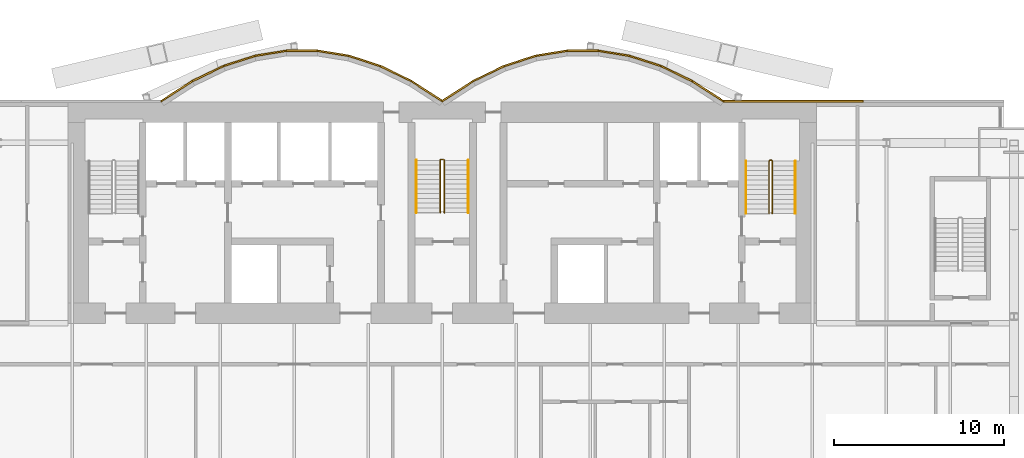
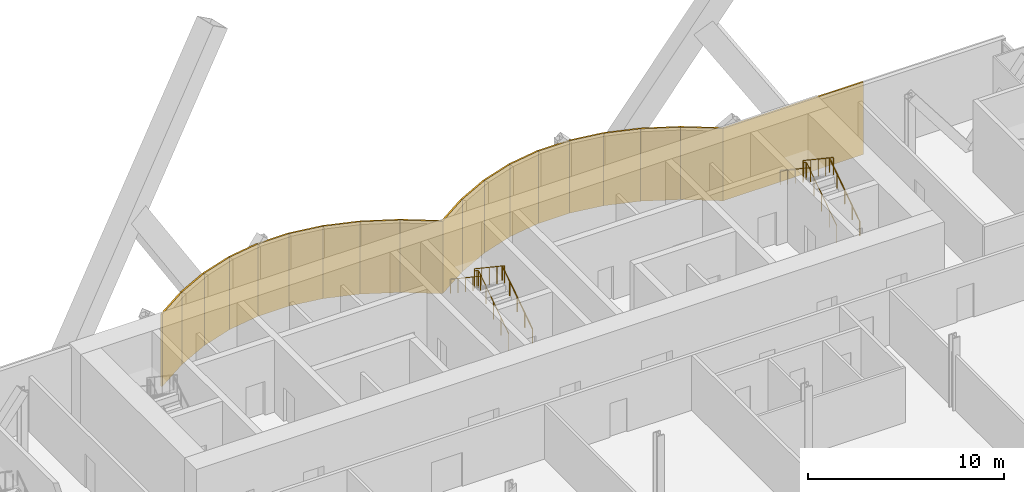
# One storey, part 22 of 23: 19 coverings, 6 railings.
"""IFC4 building model written with IfcOpenShell, lengths in metres."""

import ifcopenshell
import ifcopenshell.guid

model = None  # the IFC model being written
_history = None  # IfcOwnerHistory: only IFC2X3 demands one
_inside = {}  # id of a spatial element -> (the spatial element, [elements in it])
_under = {}  # id of a project, library or spatial element -> (it, [spatial elements below it])
_declared = {}  # id of a project -> (the project, [libraries it declares])
_typed = {}  # id of a type object -> (the type object, [elements of that type])
_made_of = {}  # id of a material, layer set ... -> (it, [elements and type objects made of it])


def new_model(schema):
    """Start an empty IFC model of exactly this schema.

    Asked for "IFC4X3", IfcOpenShell would pick the latest addendum, in which some entities
    have other attributes; the version numbers below select the first issue.
    IFC2X3 requires an IfcOwnerHistory on every rooted entity: one is made here for all.
    """
    global model, _history
    if schema == "IFC4X3":
        model = ifcopenshell.file(schema_version=(4, 3, 0, 0))
    else:
        model = ifcopenshell.file(schema=schema)
    _inside.clear()
    _under.clear()
    _declared.clear()
    _typed.clear()
    _made_of.clear()
    _history = None
    if model.schema == "IFC2X3":
        org = make("IfcOrganization", Name="unknown")
        user = make(
            "IfcPersonAndOrganization",
            ThePerson=make("IfcPerson", FamilyName="unknown"),
            TheOrganization=org,
        )
        app = make(
            "IfcApplication",
            ApplicationDeveloper=org,
            Version="unknown",
            ApplicationFullName="unknown",
            ApplicationIdentifier="unknown",
        )
        _history = make(
            "IfcOwnerHistory",
            OwningUser=user,
            OwningApplication=app,
            ChangeAction="ADDED",
            CreationDate=0,
        )
    return model


def make(cls, **values):
    """One entity of the class cls with the attributes given. An attribute that is None is left unset."""
    return model.create_entity(
        cls, **{name: value for name, value in values.items() if value is not None}
    )


def rooted(cls, **values):
    """An entity with a GlobalId (a new one), such as an element, a storey or a relation."""
    return make(cls, GlobalId=ifcopenshell.guid.new(), OwnerHistory=_history, **values)


def si_unit(unit_type, name, prefix=None):
    """IfcSIUnit, for example si_unit("LENGTHUNIT", "METRE", prefix="MILLI")."""
    return make("IfcSIUnit", UnitType=unit_type, Prefix=prefix, Name=name)


def assignment(units):
    """IfcUnitAssignment: the units of a project."""
    return None if units is None else make("IfcUnitAssignment", Units=units)


def point(xyz):
    """IfcCartesianPoint."""
    return None if xyz is None else make("IfcCartesianPoint", Coordinates=xyz)


def direction(xyz):
    """IfcDirection."""
    return None if xyz is None else make("IfcDirection", DirectionRatios=xyz)


def frame(location, z_axis=None, x_axis=None):
    """IfcAxis2Placement3D, a coordinate frame: its origin and axes. An axis left out is left unset."""
    return make(
        "IfcAxis2Placement3D",
        Location=point(location),
        Axis=direction(z_axis),
        RefDirection=direction(x_axis),
    )


def frame_2d(location, x_axis=None):
    """IfcAxis2Placement2D, a coordinate frame in the plane: its origin and x axis."""
    return make(
        "IfcAxis2Placement2D", Location=point(location), RefDirection=direction(x_axis)
    )


def origin():
    """The frame at (0, 0, 0) with its axes left unset."""
    return frame((0.0, 0.0, 0.0))


def origin_2d():
    """The frame at (0, 0) in the plane with its x axis left unset."""
    return frame_2d((0.0, 0.0))


def place(relative_to, where):
    """IfcLocalPlacement: puts the frame where relative to a parent placement (None: the world)."""
    return make(
        "IfcLocalPlacement", PlacementRelTo=relative_to, RelativePlacement=where
    )


def context(
    kind, dimensions, precision=None, world=None, true_north=None, identifier=None
):
    """IfcGeometricRepresentationContext, for example the 3D "Model" context."""
    return make(
        "IfcGeometricRepresentationContext",
        ContextIdentifier=identifier,
        ContextType=kind,
        CoordinateSpaceDimension=dimensions,
        Precision=precision,
        WorldCoordinateSystem=world,
        TrueNorth=true_north,
    )


def subcontext(parent, identifier, kind, view, scale=None):
    """IfcGeometricRepresentationSubContext, for example "Body" below "Model"."""
    return make(
        "IfcGeometricRepresentationSubContext",
        ContextIdentifier=identifier,
        ContextType=kind,
        ParentContext=parent,
        TargetScale=scale,
        TargetView=view,
    )


def project(units=None, contexts=None):
    """IfcProject with its units and contexts."""
    return rooted(
        "IfcProject",
        Name="project",
        RepresentationContexts=contexts,
        UnitsInContext=assignment(units),
    )


def spatial(cls, under=None, at=None, **own):
    """A site, building, storey or space (cls), placed at a placement, below another one or the project."""
    s = rooted(cls, ObjectPlacement=at, **own)
    if under is not None:
        _under.setdefault(under.id(), (under, []))[1].append(s)
    return s


def profile(cls, at=None, kind="AREA", **sizes):
    """A parametric profile (cls). Its sizes go by their IFC names, for example OverallWidth=200.0."""
    return make(cls, ProfileType=kind, Position=at, **sizes)


def rectangle(**sizes):
    """IfcRectangleProfileDef."""
    return profile("IfcRectangleProfileDef", **sizes)


def circle(**sizes):
    """IfcCircleProfileDef."""
    return profile("IfcCircleProfileDef", **sizes)


def extrude(swept, where, along, depth):
    """IfcExtrudedAreaSolid: the profile swept, set in the frame where, extruded along a direction by depth."""
    return make(
        "IfcExtrudedAreaSolid",
        SweptArea=swept,
        Position=where,
        ExtrudedDirection=direction(along),
        Depth=depth,
    )


def shape(context_of_items, identifier, shape_type, items):
    """IfcShapeRepresentation: the items that make up one representation, for example the "Body"."""
    return make(
        "IfcShapeRepresentation",
        ContextOfItems=context_of_items,
        RepresentationIdentifier=identifier,
        RepresentationType=shape_type,
        Items=items,
    )


def material(Name=None, Category=None):
    """IfcMaterial."""
    return make("IfcMaterial", Name=Name, Category=Category)


def layer(
    of_material, thickness, ventilated=None, Name=None, Category=None, Priority=None
):
    """IfcMaterialLayer: one layer of a wall or slab, of a material (None: an air gap)."""
    return make(
        "IfcMaterialLayer",
        Material=of_material,
        LayerThickness=thickness,
        IsVentilated=ventilated,
        Name=Name,
        Category=Category,
        Priority=Priority,
    )


def layer_set(layers, Name=None):
    """IfcMaterialLayerSet."""
    return make("IfcMaterialLayerSet", MaterialLayers=layers, LayerSetName=Name)


def made_of(thing, what):
    """Note that an element or type object is made of a material, layer set ...; save() writes the relation."""
    if what is not None:
        _made_of.setdefault(what.id(), (what, []))[1].append(thing)
    return thing


def type_object(cls, material=None, **own):
    """A type object (cls), such as IfcWallType, which elements share."""
    return made_of(rooted(cls, **own), material)


def element(
    cls,
    number,
    at=None,
    inside=None,
    cuts=None,
    type_object=None,
    material=None,
    context=None,
    identifier="Body",
    shape_type=None,
    held_by="IfcProductDefinitionShape",
    body=None,
    shapes=None,
    **own,
):
    """One element of the class cls, such as IfcWall. Its Tag is "e" and its number.

    at: its placement. inside: the storey or other place that contains it. cuts: it is an
    opening in that element (IfcRelVoidsElement). A single representation is given by context,
    identifier, shape_type and body (its items); several are given by shapes. held_by: the class
    of the entity that holds the representations. save() writes the other relations.
    """
    e = rooted(cls, Tag="e%d" % number, ObjectPlacement=at, **own)
    if body is not None:
        shapes = [shape(context, identifier, shape_type, body)]
    if shapes is not None:
        e.Representation = make(held_by, Representations=shapes)
    if inside is not None:
        _inside.setdefault(inside.id(), (inside, []))[1].append(e)
    if cuts is not None:
        rooted(
            "IfcRelVoidsElement", RelatingBuildingElement=cuts, RelatedOpeningElement=e
        )
    if type_object is not None:
        _typed.setdefault(type_object.id(), (type_object, []))[1].append(e)
    return made_of(e, material)


def aggregate(whole, parts):
    """IfcRelAggregates: a whole, such as a stair, and the parts it consists of."""
    return rooted("IfcRelAggregates", RelatingObject=whole, RelatedObjects=parts)


def save(model, path):
    """Write the relations noted so far, then the file.

    IfcRelAggregates (storeys below a building ...), IfcRelContainedInSpatialStructure (elements
    in a storey), IfcRelDefinesByType, IfcRelAssociatesMaterial and IfcRelDeclares: one each for
    every whole, place, type object, material and project.
    """
    for whole, parts in _under.values():
        aggregate(whole, parts)
    for where, things in _inside.values():
        rooted(
            "IfcRelContainedInSpatialStructure",
            RelatedElements=things,
            RelatingStructure=where,
        )
    for kind, things in _typed.values():
        rooted("IfcRelDefinesByType", RelatedObjects=things, RelatingType=kind)
    for what, things in _made_of.values():
        rooted("IfcRelAssociatesMaterial", RelatedObjects=things, RelatingMaterial=what)
    for by, libraries in _declared.values():
        rooted("IfcRelDeclares", RelatingContext=by, RelatedDefinitions=libraries)
    model.write(path)


model = new_model("IFC4")

# Units and contexts
model_context = context("Model", 3, precision=1e-05, world=origin(), true_north=direction((0.0, 1.0)))
body_context = subcontext(model_context, "Body", "Model", "MODEL_VIEW")
ifc_project = project(units=[si_unit("LENGTHUNIT", "METRE"), si_unit("AREAUNIT", "SQUARE_METRE"), si_unit("VOLUMEUNIT", "CUBIC_METRE"), si_unit("PLANEANGLEUNIT", "RADIAN"), si_unit("MASSUNIT", "GRAM", prefix="KILO")], contexts=[model_context])

# Site, building, storey
site_placement = place(None, origin())
site = spatial("IfcSite", under=ifc_project, at=site_placement, CompositionType="ELEMENT")
building_placement = place(site_placement, origin())
building = spatial("IfcBuilding", under=site, at=building_placement, Name="Bicima Exchange Tower", CompositionType="ELEMENT")
storey_placement = place(building_placement, frame((0.0, 0.0, 53.0)))
storey = spatial("IfcBuildingStorey", under=building, at=storey_placement, Name="L10", CompositionType="ELEMENT", Elevation=53.0)

# Coverings
ifc_material_1 = material(Name="Bronze metal cladding")
ifc_layer_1 = layer(ifc_material_1, 0.004)
ifc_material_2 = material(Name="Ventilated cavity")
ifc_layer_2 = layer(ifc_material_2, 0.06)
ifc_material_3 = material(Name="Galvanised steel rail and mineral wool", Category="steel")
ifc_layer_3 = layer(ifc_material_3, 0.036)
ifc_layer_set = layer_set([ifc_layer_1, ifc_layer_2, ifc_layer_3], Name="Ventilated cavity")
covering_type = type_object("IfcCoveringType", Name="Bronze metal cladding panel 100", PredefinedType="CLADDING", material=ifc_layer_set)
covering_1_placement = place(storey_placement, frame((20.625, 0.050048828125, -0.14990234375), z_axis=(0.0, 0.0, 1.0), x_axis=(-1.0, 0.0, 0.0)))
element("IfcCovering", 1, at=covering_1_placement, inside=storey, type_object=covering_type, Name="Bronze cladding L10 1.2", PredefinedType="CLADDING", context=body_context, shape_type="SweptSolid", body=[
    extrude(rectangle(XDim=8.25, YDim=0.10009765625, at=origin_2d()), origin(), (0.0, 0.0, 1.0), 4.5),
])
covering_2_placement = place(storey_placement, frame((15.610595703125, 0.634521484375, -0.14990234375), z_axis=(0.0, 0.0, 1.0), x_axis=(-0.839790466384, 0.542910648791, 0.0)))
element("IfcCovering", 2, at=covering_2_placement, inside=storey, type_object=covering_type, Name="Bronze cladding L10 2.1", PredefinedType="CLADDING", context=body_context, shape_type="SweptSolid", body=[
    extrude(rectangle(XDim=2.18310546875, YDim=0.10009765625, at=origin_2d()), origin(), (0.0, 0.0, 1.0), 4.5),
])
covering_3_placement = place(storey_placement, frame((13.771728515625, 1.674560546875, -0.14990234375), z_axis=(0.0, 0.0, 1.0), x_axis=(-0.899818346812, 0.436264762204, 0.0)))
element("IfcCovering", 3, at=covering_3_placement, inside=storey, type_object=covering_type, Name="Bronze cladding L10 3.1", PredefinedType="CLADDING", context=body_context, shape_type="SweptSolid", body=[
    extrude(rectangle(XDim=2.03759765625, YDim=0.10009765625, at=origin_2d()), origin(), (0.0, 0.0, 1.0), 4.5),
])
covering_4_placement = place(storey_placement, frame((11.931884765625, 2.41796875, -0.14990234375), z_axis=(0.0, 0.0, 1.0), x_axis=(-0.951524642381, 0.307572519808, 0.0)))
element("IfcCovering", 4, at=covering_4_placement, inside=storey, type_object=covering_type, Name="Bronze cladding L10 4.1", PredefinedType="CLADDING", context=body_context, shape_type="SweptSolid", body=[
    extrude(rectangle(XDim=1.9267578125, YDim=0.10009765625, at=origin_2d()), origin(), (0.0, 0.0, 1.0), 4.5),
])
covering_5_placement = place(storey_placement, frame((10.09130859375, 2.8642578125, -0.14990234375), z_axis=(0.0, 0.0, 1.0), x_axis=(-0.987189786347, 0.159550386184, 0.0)))
element("IfcCovering", 5, at=covering_5_placement, inside=storey, type_object=covering_type, Name="Bronze cladding L10 5.1", PredefinedType="CLADDING", context=body_context, shape_type="SweptSolid", body=[
    extrude(rectangle(XDim=1.857177734375, YDim=0.10009765625, at=origin_2d()), origin(), (0.0, 0.0, 1.0), 4.5),
])
covering_6_placement = place(storey_placement, frame((8.25, 3.012939453125, -0.14990234375), z_axis=(0.0, 0.0, 1.0), x_axis=(-1.0, 0.0, 0.0)))
element("IfcCovering", 6, at=covering_6_placement, inside=storey, type_object=covering_type, Name="Bronze cladding L10 6.1", PredefinedType="CLADDING", context=body_context, shape_type="SweptSolid", body=[
    extrude(rectangle(XDim=1.83349609375, YDim=0.10009765625, at=origin_2d()), origin(), (0.0, 0.0, 1.0), 4.5),
])
covering_7_placement = place(storey_placement, frame((6.40869140625, 2.8642578125, -0.14990234375), z_axis=(0.0, 0.0, 1.0), x_axis=(-0.987189786347, -0.159550386184, 0.0)))
element("IfcCovering", 7, at=covering_7_placement, inside=storey, type_object=covering_type, Name="Bronze cladding L10 7.1", PredefinedType="CLADDING", context=body_context, shape_type="SweptSolid", body=[
    extrude(rectangle(XDim=1.857177734375, YDim=0.10009765625, at=origin_2d()), origin(), (0.0, 0.0, 1.0), 4.5),
])
covering_8_placement = place(storey_placement, frame((4.568115234375, 2.41796875, -0.14990234375), z_axis=(0.0, 0.0, 1.0), x_axis=(-0.951524642381, -0.307572519808, 0.0)))
element("IfcCovering", 8, at=covering_8_placement, inside=storey, type_object=covering_type, Name="Bronze cladding L10 8.1", PredefinedType="CLADDING", context=body_context, shape_type="SweptSolid", body=[
    extrude(rectangle(XDim=1.9267578125, YDim=0.10009765625, at=origin_2d()), origin(), (0.0, 0.0, 1.0), 4.5),
])
covering_9_placement = place(storey_placement, frame((2.728271484375, 1.674560546875, -0.14990234375), z_axis=(0.0, 0.0, 1.0), x_axis=(-0.899818346812, -0.436264762204, 0.0)))
element("IfcCovering", 9, at=covering_9_placement, inside=storey, type_object=covering_type, Name="Bronze cladding L10 9.1", PredefinedType="CLADDING", context=body_context, shape_type="SweptSolid", body=[
    extrude(rectangle(XDim=2.03759765625, YDim=0.10009765625, at=origin_2d()), origin(), (0.0, 0.0, 1.0), 4.5),
])
for number, where, z_axis, x_axis, name in (
    (10, (0.889404296875, 0.634521484375, -0.14990234375), (0.0, 0.0, 1.0), (-0.839790466384, -0.542910648791, 0.0), "Bronze cladding L10 10.1"),
    (11, (-0.889404296875, 0.634521484375, -0.14990234375), (0.0, 0.0, 1.0), (-0.839790466384, 0.542910648791, 0.0), "Bronze cladding L10 11.1"),
):
    element("IfcCovering", number, at=place(storey_placement, frame(where, z_axis=z_axis, x_axis=x_axis)), inside=storey, type_object=covering_type, Name=name, PredefinedType="CLADDING", context=body_context, shape_type="SweptSolid", body=[
        extrude(rectangle(XDim=2.18310546875, YDim=0.10009765625, at=origin_2d()), origin(), (0.0, 0.0, 1.0), 4.5),
    ])
covering_10_placement = place(storey_placement, frame((-2.728271484375, 1.674560546875, -0.14990234375), z_axis=(0.0, 0.0, 1.0), x_axis=(-0.899818346812, 0.436264762204, 0.0)))
element("IfcCovering", 12, at=covering_10_placement, inside=storey, type_object=covering_type, Name="Bronze cladding L10 12.1", PredefinedType="CLADDING", context=body_context, shape_type="SweptSolid", body=[
    extrude(rectangle(XDim=2.03759765625, YDim=0.10009765625, at=origin_2d()), origin(), (0.0, 0.0, 1.0), 4.5),
])
covering_11_placement = place(storey_placement, frame((-4.568115234375, 2.41796875, -0.14990234375), z_axis=(0.0, 0.0, 1.0), x_axis=(-0.951524642381, 0.307572519808, 0.0)))
element("IfcCovering", 13, at=covering_11_placement, inside=storey, type_object=covering_type, Name="Bronze cladding L10 13.1", PredefinedType="CLADDING", context=body_context, shape_type="SweptSolid", body=[
    extrude(rectangle(XDim=1.9267578125, YDim=0.10009765625, at=origin_2d()), origin(), (0.0, 0.0, 1.0), 4.5),
])
covering_12_placement = place(storey_placement, frame((-6.40869140625, 2.8642578125, -0.14990234375), z_axis=(0.0, 0.0, 1.0), x_axis=(-0.987189786347, 0.159550386184, 0.0)))
element("IfcCovering", 14, at=covering_12_placement, inside=storey, type_object=covering_type, Name="Bronze cladding L10 14.1", PredefinedType="CLADDING", context=body_context, shape_type="SweptSolid", body=[
    extrude(rectangle(XDim=1.857177734375, YDim=0.10009765625, at=origin_2d()), origin(), (0.0, 0.0, 1.0), 4.5),
])
covering_13_placement = place(storey_placement, frame((-8.25, 3.012939453125, -0.14990234375), z_axis=(0.0, 0.0, 1.0), x_axis=(-1.0, 0.0, 0.0)))
element("IfcCovering", 15, at=covering_13_placement, inside=storey, type_object=covering_type, Name="Bronze cladding L10 15.1", PredefinedType="CLADDING", context=body_context, shape_type="SweptSolid", body=[
    extrude(rectangle(XDim=1.83349609375, YDim=0.10009765625, at=origin_2d()), origin(), (0.0, 0.0, 1.0), 4.5),
])
covering_14_placement = place(storey_placement, frame((-10.09130859375, 2.8642578125, -0.14990234375), z_axis=(0.0, 0.0, 1.0), x_axis=(-0.987189786347, -0.159550386184, 0.0)))
element("IfcCovering", 16, at=covering_14_placement, inside=storey, type_object=covering_type, Name="Bronze cladding L10 16.1", PredefinedType="CLADDING", context=body_context, shape_type="SweptSolid", body=[
    extrude(rectangle(XDim=1.857177734375, YDim=0.10009765625, at=origin_2d()), origin(), (0.0, 0.0, 1.0), 4.5),
])
covering_15_placement = place(storey_placement, frame((-11.931884765625, 2.41796875, -0.14990234375), z_axis=(0.0, 0.0, 1.0), x_axis=(-0.951524642381, -0.307572519808, 0.0)))
element("IfcCovering", 17, at=covering_15_placement, inside=storey, type_object=covering_type, Name="Bronze cladding L10 17.1", PredefinedType="CLADDING", context=body_context, shape_type="SweptSolid", body=[
    extrude(rectangle(XDim=1.9267578125, YDim=0.10009765625, at=origin_2d()), origin(), (0.0, 0.0, 1.0), 4.5),
])
covering_16_placement = place(storey_placement, frame((-13.771728515625, 1.674560546875, -0.14990234375), z_axis=(0.0, 0.0, 1.0), x_axis=(-0.899818346812, -0.436264762204, 0.0)))
element("IfcCovering", 18, at=covering_16_placement, inside=storey, type_object=covering_type, Name="Bronze cladding L10 18.1", PredefinedType="CLADDING", context=body_context, shape_type="SweptSolid", body=[
    extrude(rectangle(XDim=2.03759765625, YDim=0.10009765625, at=origin_2d()), origin(), (0.0, 0.0, 1.0), 4.5),
])
covering_17_placement = place(storey_placement, frame((-15.610595703125, 0.634521484375, -0.14990234375), z_axis=(0.0, 0.0, 1.0), x_axis=(-0.839790466384, -0.542910648791, 0.0)))
element("IfcCovering", 19, at=covering_17_placement, inside=storey, type_object=covering_type, Name="Bronze cladding L10 19.1", PredefinedType="CLADDING", context=body_context, shape_type="SweptSolid", body=[
    extrude(rectangle(XDim=2.18310546875, YDim=0.10009765625, at=origin_2d()), origin(), (0.0, 0.0, 1.0), 4.5),
])

# Railings
ifc_material_4 = material(Name="Stainless steel", Category="steel")
railing_type_1 = type_object("IfcRailingType", Name="Stair guard 1100", PredefinedType="GUARDRAIL", material=ifc_material_4)
railing_1_placement = place(storey_placement, frame((0.125, -6.5, 0.1875)))
element("IfcRailing", 20, at=railing_1_placement, inside=storey, type_object=railing_type_1, Name="L10 ST-C stair guard 1", PredefinedType="GUARDRAIL", context=body_context, shape_type="SweptSolid", body=[
    extrude(circle(Radius=0.02392578125, at=origin_2d()), frame((0.0, 0.0, 1.076171875), z_axis=(0.0, 0.830913701846, 0.55640131208), x_axis=(-1.0, 0.0, 0.0)), (0.0, 0.0, 1.0), 3.706787109375),
    extrude(circle(Radius=0.02392578125, at=origin_2d()), frame((0.0, 3.080078125, 3.138671875), z_axis=(-0.708833529934, 0.705375805398, 0.0), x_axis=(-0.705375805398, -0.708833529934, 0.0)), (0.0, 0.0, 1.0), 0.070556640625),
    extrude(circle(Radius=0.02392578125, at=origin_2d()), frame((-0.050048828125, 3.1298828125, 3.138671875), z_axis=(-1.0, 0.0, 0.0), x_axis=(0.0, -1.0, 0.0)), (0.0, 0.0, 1.0), 0.14990234375),
    extrude(circle(Radius=0.02392578125, at=origin_2d()), frame((-0.199951171875, 3.1298828125, 3.138671875), z_axis=(-0.249802250048, -0.248583702486, 0.935844527007), x_axis=(0.705375805398, -0.708833529934, 0.0)), (0.0, 0.0, 1.0), 0.200439453125),
    extrude(circle(Radius=0.02392578125, at=origin_2d()), frame((-0.25, 3.080078125, 3.326171875), z_axis=(0.0, -0.830913701846, 0.55640131208), x_axis=(1.0, 0.0, 0.0)), (0.0, 0.0, 1.0), 3.706787109375),
    extrude(circle(Radius=0.02099609375, at=origin_2d()), origin(), (0.0, 0.0, 1.0), 1.052001953125),
    extrude(circle(Radius=0.02099609375, at=origin_2d()), frame((0.0, 0.77001953125, 0.515625)), (0.0, 0.0, 1.0), 1.052001953125),
    extrude(circle(Radius=0.02099609375, at=origin_2d()), frame((0.0, 1.5400390625, 1.03125)), (0.0, 0.0, 1.0), 1.052001953125),
    extrude(circle(Radius=0.02099609375, at=origin_2d()), frame((0.0, 2.31005859375, 1.546875)), (0.0, 0.0, 1.0), 1.052001953125),
    extrude(circle(Radius=0.02099609375, at=origin_2d()), frame((0.0, 3.080078125, 2.0625)), (0.0, 0.0, 1.0), 1.052001953125),
    extrude(circle(Radius=0.02099609375, at=origin_2d()), frame((-0.050048828125, 3.1298828125, 2.0625)), (0.0, 0.0, 1.0), 1.052001953125),
    extrude(circle(Radius=0.02099609375, at=origin_2d()), frame((-0.199951171875, 3.1298828125, 2.0625)), (0.0, 0.0, 1.0), 1.052001953125),
    extrude(circle(Radius=0.02099609375, at=origin_2d()), frame((-0.25, 3.080078125, 2.25)), (0.0, 0.0, 1.0), 1.052001953125),
    extrude(circle(Radius=0.02099609375, at=origin_2d()), frame((-0.25, 2.31005859375, 2.765625)), (0.0, 0.0, 1.0), 1.052001953125),
    extrude(circle(Radius=0.02099609375, at=origin_2d()), frame((-0.25, 1.5400390625, 3.28125)), (0.0, 0.0, 1.0), 1.052001953125),
    extrude(circle(Radius=0.02099609375, at=origin_2d()), frame((-0.25, 0.77001953125, 3.796875)), (0.0, 0.0, 1.0), 1.052001953125),
    extrude(circle(Radius=0.02099609375, at=origin_2d()), frame((-0.25, 0.0, 4.3125)), (0.0, 0.0, 1.0), 1.052001953125),
])
railing_2_placement = place(storey_placement, frame((19.39990234375, -6.550048828125, 0.1875)))
element("IfcRailing", 21, at=railing_2_placement, inside=storey, type_object=railing_type_1, Name="L10 ST-E stair guard 1", PredefinedType="GUARDRAIL", context=body_context, shape_type="SweptSolid", body=[
    extrude(circle(Radius=0.02392578125, at=origin_2d()), frame((0.0, 0.0, 1.076171875), z_axis=(0.0, 0.830913701846, 0.55640131208), x_axis=(-1.0, 0.0, 0.0)), (0.0, 0.0, 1.0), 3.706787109375),
    extrude(circle(Radius=0.02392578125, at=origin_2d()), frame((0.0, 3.080078125, 3.138671875), z_axis=(-0.705375805398, 0.708833529934, 0.0), x_axis=(-0.708833529934, -0.705375805398, 0.0)), (0.0, 0.0, 1.0), 0.070556640625),
    extrude(circle(Radius=0.02392578125, at=origin_2d()), frame((-0.0498046875, 3.130126953125, 3.138671875), z_axis=(-1.0, 0.0, 0.0), x_axis=(0.0, -1.0, 0.0)), (0.0, 0.0, 1.0), 0.10009765625),
    extrude(circle(Radius=0.02392578125, at=origin_2d()), frame((-0.14990234375, 3.130126953125, 3.138671875), z_axis=(-0.249726431254, -0.249726431254, 0.935560483917), x_axis=(0.707106781187, -0.707106781187, 0.0)), (0.0, 0.0, 1.0), 0.200439453125),
    extrude(circle(Radius=0.02392578125, at=origin_2d()), frame((-0.199951171875, 3.080078125, 3.326171875), z_axis=(0.0, -0.830913701846, 0.55640131208), x_axis=(1.0, 0.0, 0.0)), (0.0, 0.0, 1.0), 3.706787109375),
    extrude(circle(Radius=0.02099609375, at=origin_2d()), origin(), (0.0, 0.0, 1.0), 1.052001953125),
    extrude(circle(Radius=0.02099609375, at=origin_2d()), frame((0.0, 0.77001953125, 0.515625)), (0.0, 0.0, 1.0), 1.052001953125),
    extrude(circle(Radius=0.02099609375, at=origin_2d()), frame((0.0, 1.5400390625, 1.03125)), (0.0, 0.0, 1.0), 1.052001953125),
    extrude(circle(Radius=0.02099609375, at=origin_2d()), frame((0.0, 2.31005859375, 1.546875)), (0.0, 0.0, 1.0), 1.052001953125),
    extrude(circle(Radius=0.02099609375, at=origin_2d()), frame((0.0, 3.080078125, 2.0625)), (0.0, 0.0, 1.0), 1.052001953125),
    extrude(circle(Radius=0.02099609375, at=origin_2d()), frame((-0.0498046875, 3.130126953125, 2.0625)), (0.0, 0.0, 1.0), 1.052001953125),
    extrude(circle(Radius=0.02099609375, at=origin_2d()), frame((-0.14990234375, 3.130126953125, 2.0625)), (0.0, 0.0, 1.0), 1.052001953125),
    extrude(circle(Radius=0.02099609375, at=origin_2d()), frame((-0.199951171875, 3.080078125, 2.25)), (0.0, 0.0, 1.0), 1.052001953125),
    extrude(circle(Radius=0.02099609375, at=origin_2d()), frame((-0.199951171875, 2.31005859375, 2.765625)), (0.0, 0.0, 1.0), 1.052001953125),
    extrude(circle(Radius=0.02099609375, at=origin_2d()), frame((-0.199951171875, 1.5400390625, 3.28125)), (0.0, 0.0, 1.0), 1.052001953125),
    extrude(circle(Radius=0.02099609375, at=origin_2d()), frame((-0.199951171875, 0.77001953125, 3.796875)), (0.0, 0.0, 1.0), 1.052001953125),
    extrude(circle(Radius=0.02099609375, at=origin_2d()), frame((-0.199951171875, 0.0, 4.3125)), (0.0, 0.0, 1.0), 1.052001953125),
])
railing_type_2 = type_object("IfcRailingType", Name="Stair handrail 900", PredefinedType="HANDRAIL", material=ifc_material_4)
railing_3_placement = place(storey_placement, frame((1.52490234375, -6.5, 0.1875)))
element("IfcRailing", 22, at=railing_3_placement, inside=storey, type_object=railing_type_2, Name="L10 ST-C stair handrail 1", PredefinedType="HANDRAIL", context=body_context, shape_type="SweptSolid", body=[
    extrude(circle(Radius=0.02392578125, at=origin_2d()), frame((0.0, 0.0, 0.8759765625), z_axis=(0.0, 0.830913701846, 0.55640131208), x_axis=(-1.0, 0.0, 0.0)), (0.0, 0.0, 1.0), 3.706787109375),
    extrude(circle(Radius=0.02099609375, at=origin_2d()), origin(), (0.0, 0.0, 1.0), 0.851806640625),
    extrude(circle(Radius=0.02099609375, at=origin_2d()), frame((0.0, 0.77001953125, 0.515625)), (0.0, 0.0, 1.0), 0.851806640625),
    extrude(circle(Radius=0.02099609375, at=origin_2d()), frame((0.0, 1.5400390625, 1.03125)), (0.0, 0.0, 1.0), 0.851806640625),
    extrude(circle(Radius=0.02099609375, at=origin_2d()), frame((0.0, 2.31005859375, 1.546875)), (0.0, 0.0, 1.0), 0.851806640625),
    extrude(circle(Radius=0.02099609375, at=origin_2d()), frame((0.0, 3.080078125, 2.0625)), (0.0, 0.0, 1.0), 0.851806640625),
])
railing_4_placement = place(storey_placement, frame((-1.52490234375, -3.419921875, 2.47900390625)))
element("IfcRailing", 23, at=railing_4_placement, inside=storey, type_object=railing_type_2, Name="L10 ST-C stair handrail 2", PredefinedType="HANDRAIL", context=body_context, shape_type="SweptSolid", body=[
    extrude(circle(Radius=0.02392578125, at=origin_2d()), frame((0.0, 0.0, 0.8759765625), z_axis=(0.0, -0.830913701846, 0.55640131208), x_axis=(1.0, 0.0, 0.0)), (0.0, 0.0, 1.0), 3.706787109375),
    extrude(circle(Radius=0.02099609375, at=origin_2d()), origin(), (0.0, 0.0, 1.0), 0.851806640625),
    extrude(circle(Radius=0.02099609375, at=origin_2d()), frame((0.0, -0.77001953125, 0.515625)), (0.0, 0.0, 1.0), 0.851806640625),
    extrude(circle(Radius=0.02099609375, at=origin_2d()), frame((0.0, -1.5400390625, 1.03125)), (0.0, 0.0, 1.0), 0.851806640625),
    extrude(circle(Radius=0.02099609375, at=origin_2d()), frame((0.0, -2.31005859375, 1.546875)), (0.0, 0.0, 1.0), 0.851806640625),
    extrude(circle(Radius=0.02099609375, at=origin_2d()), frame((0.0, -3.080078125, 2.0625)), (0.0, 0.0, 1.0), 0.851806640625),
])
railing_5_placement = place(storey_placement, frame((20.75, -6.550048828125, 0.1875)))
element("IfcRailing", 24, at=railing_5_placement, inside=storey, type_object=railing_type_2, Name="L10 ST-E stair handrail 1", PredefinedType="HANDRAIL", context=body_context, shape_type="SweptSolid", body=[
    extrude(circle(Radius=0.02392578125, at=origin_2d()), frame((0.0, 0.0, 0.8759765625), z_axis=(0.0, 0.830913701846, 0.55640131208), x_axis=(-1.0, 0.0, 0.0)), (0.0, 0.0, 1.0), 3.706787109375),
    extrude(circle(Radius=0.02099609375, at=origin_2d()), origin(), (0.0, 0.0, 1.0), 0.851806640625),
    extrude(circle(Radius=0.02099609375, at=origin_2d()), frame((0.0, 0.77001953125, 0.515625)), (0.0, 0.0, 1.0), 0.851806640625),
    extrude(circle(Radius=0.02099609375, at=origin_2d()), frame((0.0, 1.5400390625, 1.03125)), (0.0, 0.0, 1.0), 0.851806640625),
    extrude(circle(Radius=0.02099609375, at=origin_2d()), frame((0.0, 2.31005859375, 1.546875)), (0.0, 0.0, 1.0), 0.851806640625),
    extrude(circle(Radius=0.02099609375, at=origin_2d()), frame((0.0, 3.080078125, 2.0625)), (0.0, 0.0, 1.0), 0.851806640625),
])
railing_6_placement = place(storey_placement, frame((17.85009765625, -3.469970703125, 2.47900390625)))
element("IfcRailing", 25, at=railing_6_placement, inside=storey, type_object=railing_type_2, Name="L10 ST-E stair handrail 2", PredefinedType="HANDRAIL", context=body_context, shape_type="SweptSolid", body=[
    extrude(circle(Radius=0.02392578125, at=origin_2d()), frame((0.0, 0.0, 0.8759765625), z_axis=(0.0, -0.830913701846, 0.55640131208), x_axis=(1.0, 0.0, 0.0)), (0.0, 0.0, 1.0), 3.706787109375),
    extrude(circle(Radius=0.02099609375, at=origin_2d()), origin(), (0.0, 0.0, 1.0), 0.851806640625),
    extrude(circle(Radius=0.02099609375, at=origin_2d()), frame((0.0, -0.77001953125, 0.515625)), (0.0, 0.0, 1.0), 0.851806640625),
    extrude(circle(Radius=0.02099609375, at=origin_2d()), frame((0.0, -1.5400390625, 1.03125)), (0.0, 0.0, 1.0), 0.851806640625),
    extrude(circle(Radius=0.02099609375, at=origin_2d()), frame((0.0, -2.31005859375, 1.546875)), (0.0, 0.0, 1.0), 0.851806640625),
    extrude(circle(Radius=0.02099609375, at=origin_2d()), frame((0.0, -3.080078125, 2.0625)), (0.0, 0.0, 1.0), 0.851806640625),
])

save(model, "model.ifc")
